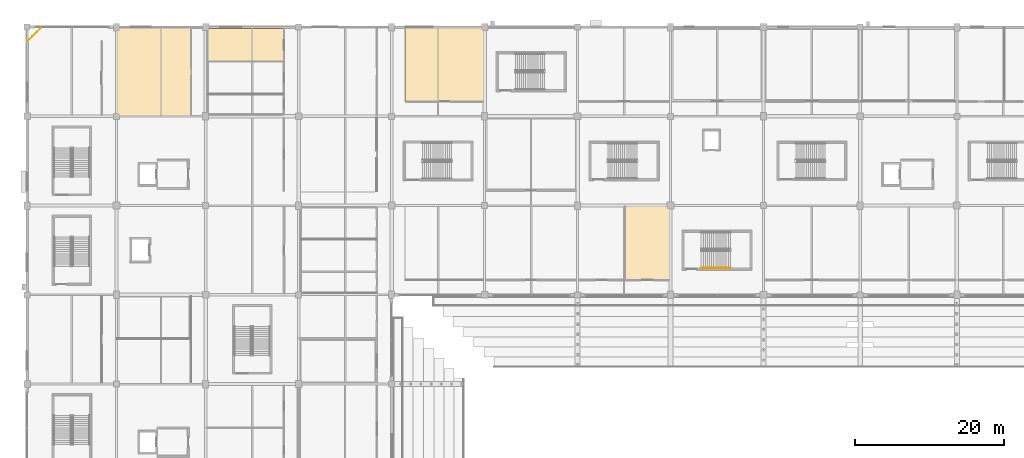
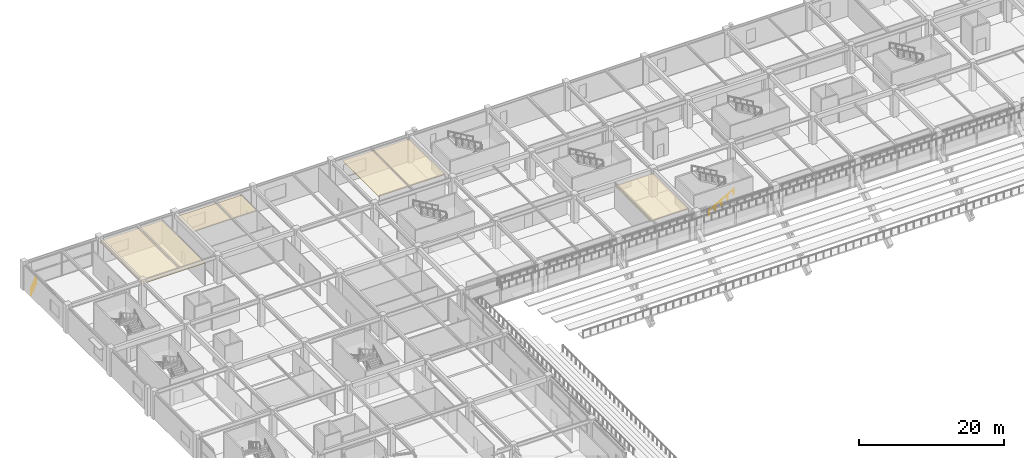
# One storey, part 125 of 134: 4 coverings, 2 railings.
"""IFC4 building model written with IfcOpenShell, lengths in metres."""

from ifc_helpers import new_model, si_unit, direction, frame, origin, origin_2d, place, context, subcontext, project, spatial, polyline, circle, outline, extrude, material, layer, layer_set, type_object, element, save


model = new_model("IFC4")

# Units and contexts
model_context = context("Model", 3, precision=1e-05, world=origin(), true_north=direction((0.0, 1.0)))
body_context = subcontext(model_context, "Body", "Model", "MODEL_VIEW")
ifc_project = project(units=[si_unit("LENGTHUNIT", "METRE"), si_unit("AREAUNIT", "SQUARE_METRE"), si_unit("VOLUMEUNIT", "CUBIC_METRE"), si_unit("PLANEANGLEUNIT", "RADIAN"), si_unit("MASSUNIT", "GRAM", prefix="KILO")], contexts=[model_context])

# Site, building, storey
site_placement = place(None, origin())
site = spatial("IfcSite", under=ifc_project, at=site_placement, CompositionType="ELEMENT")
building_placement = place(site_placement, origin())
building = spatial("IfcBuilding", under=site, at=building_placement, Name="Kazenohara Klinker Stadium", CompositionType="ELEMENT")
storey_placement = place(building_placement, frame((0.0, 0.0, 5.39990234375)))
storey = spatial("IfcBuildingStorey", under=building, at=storey_placement, Name="L01", CompositionType="ELEMENT", Elevation=5.39990234375)

# Coverings
ifc_material_1 = material(Name="Perforated acoustic mineral-fibre ceiling tile", Category="gypsum")
ifc_layer_1 = layer(ifc_material_1, 0.030029296875)
ifc_layer_set_1 = layer_set([ifc_layer_1], Name="Perforated acoustic mineral-fibre ceiling tile")
covering_type_1 = type_object("IfcCoveringType", Name="COV-CEIL-01", PredefinedType="CEILING", material=ifc_layer_set_1)
covering_1_placement = place(storey_placement, frame((0.0, 0.0, 3.75)))
element("IfcCovering", 1, at=covering_1_placement, inside=storey, type_object=covering_type_1, Name="Suspended acoustic ceiling CL01 Community Martial Arts Fitness Studio L01-0113A", PredefinedType="CEILING", context=body_context, shape_type="SweptSolid", body=[
    extrude(outline(polyline([(12.06005859375, 156.0400390625), (22.0400390625, 156.0400390625), (22.0400390625, 167.9599609375), (12.06005859375, 167.9599609375), (12.06005859375, 156.0400390625)])), origin(), (0.0, 0.0, 1.0), 0.030029296875),
])
covering_2_placement = place(storey_placement, frame((0.0, 0.0, 3.75)))
element("IfcCovering", 2, at=covering_2_placement, inside=storey, type_object=covering_type_1, Name="Suspended acoustic ceiling CL01 Water Closet Restroom Female L01-0213C", PredefinedType="CEILING", context=body_context, shape_type="SweptSolid", body=[
    extrude(outline(polyline([(24.219970703125, 163.35302734375), (34.530029296875, 163.35302734375), (34.530029296875, 167.780029296875), (24.219970703125, 167.780029296875), (24.219970703125, 163.35302734375)])), origin(), (0.0, 0.0, 1.0), 0.030029296875),
])
covering_3_placement = place(storey_placement, frame((0.0, 0.0, 3.75)))
element("IfcCovering", 3, at=covering_3_placement, inside=storey, type_object=covering_type_1, Name="Suspended acoustic ceiling CL01 Community Martial Arts Fitness Studio L01-0611B", PredefinedType="CEILING", context=body_context, shape_type="SweptSolid", body=[
    extrude(outline(polyline([(80.331787109375, 133.9599609375), (86.4599609375, 133.9599609375), (86.4599609375, 143.93994140625), (80.331787109375, 143.93994140625), (80.331787109375, 133.9599609375)])), origin(), (0.0, 0.0, 1.0), 0.030029296875),
])
ifc_material_2 = material(Name="Slatted Hokkaido cedar acoustic baffle ceiling", Category="wood")
ifc_layer_2 = layer(ifc_material_2, 0.0400390625)
ifc_layer_set_2 = layer_set([ifc_layer_2], Name="Slatted Hokkaido cedar acoustic baffle ceiling")
covering_type_2 = type_object("IfcCoveringType", Name="COV-CEIL-02", PredefinedType="CEILING", material=ifc_layer_set_2)
covering_4_placement = place(storey_placement, frame((0.0, 0.0, 3.739990234375)))
element("IfcCovering", 4, at=covering_4_placement, inside=storey, type_object=covering_type_2, Name="Suspended acoustic ceiling CL02 Lower Concourse Spectator Dining Pavilion L01-0413A", PredefinedType="CEILING", context=body_context, shape_type="SweptSolid", body=[
    extrude(outline(polyline([(50.800048828125, 157.9599609375), (61.4599609375, 157.9599609375), (61.4599609375, 167.93994140625), (50.800048828125, 167.93994140625), (50.800048828125, 157.9599609375)])), origin(), (0.0, 0.0, 1.0), 0.0400390625),
])

# Railings
ifc_material_3 = material(Name="Galvanised powder-coated steel guardrail", Category="steel")
ifc_layer_3 = layer(ifc_material_3, 0.070068359375)
ifc_layer_set_3 = layer_set([ifc_layer_3], Name="Galvanised powder-coated steel guardrail")
railing_type_1 = type_object("IfcRailingType", Name="RL-GRD-1150", PredefinedType="GUARDRAIL", material=ifc_layer_set_3)
railing_1_placement = place(storey_placement, frame((1.8798828125, 167.919921875, 0.0)))
element("IfcRailing", 5, at=railing_1_placement, inside=storey, type_object=railing_type_1, Name="Corner chamfer slab-edge guardrail GR01-SLB-L01-00-13", PredefinedType="GUARDRAIL", context=body_context, shape_type="SweptSolid", body=[
    extrude(circle(Radius=0.02392578125, at=origin_2d()), frame((0.0, 0.0, 1.1259765625), z_axis=(-0.707106781187, -0.707106781187, 0.0), x_axis=(0.707106781187, -0.707106781187, 0.0)), (0.0, 0.0, 1.0), 2.54541015625),
    extrude(circle(Radius=0.02099609375, at=origin_2d()), origin(), (0.0, 0.0, 1.0), 1.101806640625),
    extrude(circle(Radius=0.02099609375, at=origin_2d()), frame((-0.599853515625, -0.599853515625, 0.0)), (0.0, 0.0, 1.0), 1.101806640625),
    extrude(circle(Radius=0.02099609375, at=origin_2d()), frame((-1.199951171875, -1.199951171875, 0.0)), (0.0, 0.0, 1.0), 1.101806640625),
    extrude(circle(Radius=0.02099609375, at=origin_2d()), frame((-1.7998046875, -1.7998046875, 0.0)), (0.0, 0.0, 1.0), 1.101806640625),
])
ifc_material_4 = material(Name="Brushed stainless steel 304 handrail", Category="steel")
ifc_layer_4 = layer(ifc_material_4, 0.050048828125)
ifc_layer_set_4 = layer_set([ifc_layer_4], Name="Brushed stainless steel 304 handrail")
railing_type_2 = type_object("IfcRailingType", Name="RL-HND-900", PredefinedType="HANDRAIL", material=ifc_layer_set_4)
railing_2_placement = place(storey_placement, frame((90.6201171875, 135.6201171875, 0.16015625)))
element("IfcRailing", 6, at=railing_2_placement, inside=storey, type_object=railing_type_2, Name="L01 ST19 stair handrail 1", PredefinedType="HANDRAIL", context=body_context, shape_type="SweptSolid", body=[
    extrude(circle(Radius=0.02392578125, at=origin_2d()), frame((0.0, 0.0, 0.8759765625), z_axis=(0.868239814368, 0.0, 0.496144761885), x_axis=(0.0, 1.0, 0.0)), (0.0, 0.0, 1.0), 4.514892578125),
    extrude(circle(Radius=0.02099609375, at=origin_2d()), origin(), (0.0, 0.0, 1.0), 0.851806640625),
    extrude(circle(Radius=0.02099609375, at=origin_2d()), frame((0.97998046875, 0.0, 0.56005859375)), (0.0, 0.0, 1.0), 0.851806640625),
    extrude(circle(Radius=0.02099609375, at=origin_2d()), frame((1.9599609375, 0.0, 1.1201171875)), (0.0, 0.0, 1.0), 0.851806640625),
    extrude(circle(Radius=0.02099609375, at=origin_2d()), frame((2.93994140625, 0.0, 1.679931640625)), (0.0, 0.0, 1.0), 0.851806640625),
    extrude(circle(Radius=0.02099609375, at=origin_2d()), frame((3.919921875, 0.0, 2.239990234375)), (0.0, 0.0, 1.0), 0.851806640625),
])

save(model, "model.ifc")
